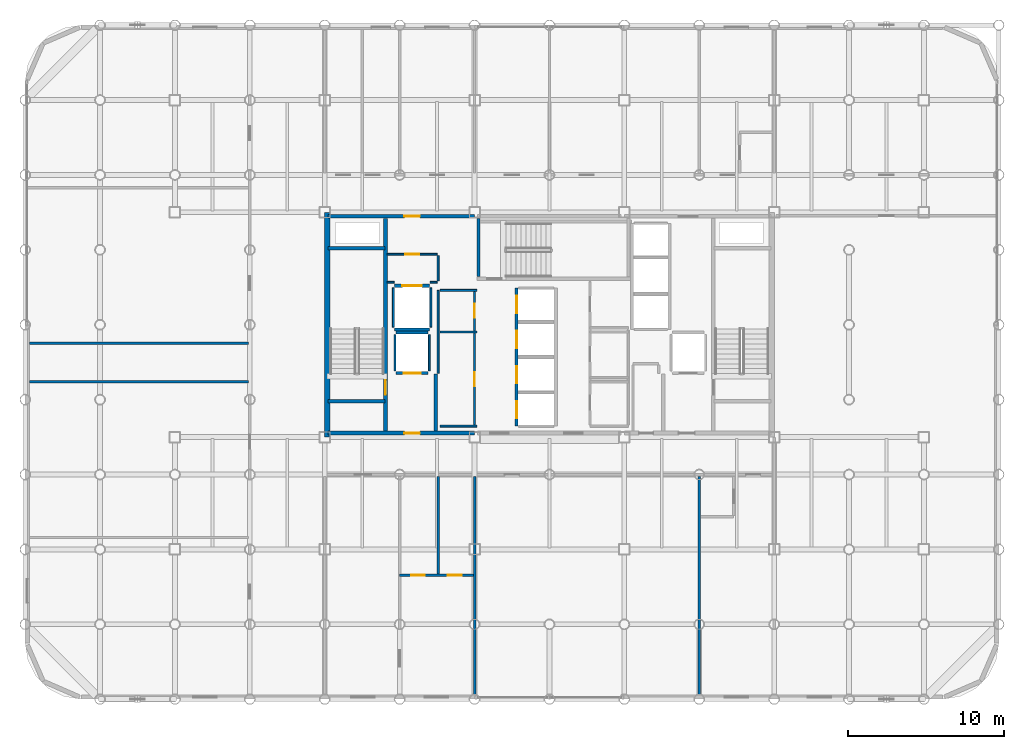
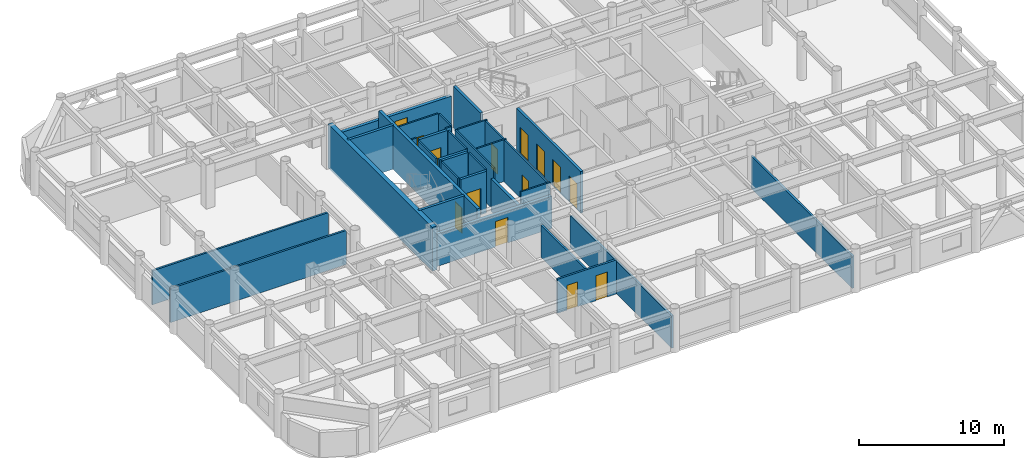
# One storey, part 16 of 20: 32 walls, 14 doors, 14 openings.
"""IFC4 building model written with IfcOpenShell, lengths in metres."""

from ifc_helpers import new_model, si_unit, direction, frame, frame_2d, origin, place, context, subcontext, project, spatial, rectangle, extrude, material, layer, layer_set, type_object, element, fill, save


model = new_model("IFC4")

# Units and contexts
model_context = context("Model", 3, precision=1e-05, world=origin(), true_north=direction((0.0, 1.0)))
body_context = subcontext(model_context, "Body", "Model", "MODEL_VIEW")
ifc_project = project(units=[si_unit("LENGTHUNIT", "METRE"), si_unit("AREAUNIT", "SQUARE_METRE"), si_unit("VOLUMEUNIT", "CUBIC_METRE"), si_unit("PLANEANGLEUNIT", "RADIAN"), si_unit("MASSUNIT", "GRAM", prefix="KILO")], contexts=[model_context])

# Site, building, storey
site_placement = place(None, origin())
site = spatial("IfcSite", under=ifc_project, at=site_placement, CompositionType="ELEMENT")
building_placement = place(site_placement, origin())
building = spatial("IfcBuilding", under=site, at=building_placement, Name="Kallvorn Hotel Tower", CompositionType="ELEMENT")
storey_placement = place(building_placement, frame((0.0, 0.0, 172.89990234375)))
storey = spatial("IfcBuildingStorey", under=building, at=storey_placement, Name="L43", CompositionType="ELEMENT", Elevation=172.89990234375)

# Wall
ifc_material_1 = material(Name="Concrete C50/60", Category="concrete")
ifc_layer_1 = layer(ifc_material_1, 0.35009765625)
ifc_layer_set_1 = layer_set([ifc_layer_1], Name="WL_CORE_350")
wall_type_1 = type_object("IfcWallType", Name="WL_CORE_350", PredefinedType="SHEAR", material=ifc_layer_set_1)
wall_1_placement = place(storey_placement, frame((-14.239990234375, -7.199951171875, -0.179931640625), z_axis=(0.0, 0.0, 1.0), x_axis=(0.0, 1.0, 0.0)))
element("IfcWall", 1, at=wall_1_placement, inside=storey, type_object=wall_type_1, Name="L43 Core West Shear Wall", PredefinedType="SHEAR", context=body_context, shape_type="SweptSolid", body=[
    extrude(rectangle(XDim=14.39990234375, YDim=0.35009765625, at=frame_2d((7.199951171875, 0.0))), origin(), (0.0, 0.0, 1.0), 3.699951171875),
])

# Wall, openings, doors
ifc_material_2 = material(Name="Fire-rated double-layer acoustic gypsum drywall EI 60")
ifc_layer_2 = layer(ifc_material_2, 0.159912109375)
ifc_layer_set_2 = layer_set([ifc_layer_2], Name="WL_DEMISE_160")
wall_type_2 = type_object("IfcWallType", Name="WL_DEMISE_160", PredefinedType="PARTITIONING", material=ifc_layer_set_2)
wall_2_placement = place(storey_placement, frame((-9.60009765625, -16.050048828125, 0.0), z_axis=(0.0, 0.0, 1.0), x_axis=(1.0, 0.0, 0.0)))
wall_2 = element("IfcWall", 2, at=wall_2_placement, inside=storey, type_object=wall_type_2, Name="L43 Suite 4301 Executive Bedroom Partition", PredefinedType="PARTITIONING", context=body_context, shape_type="SweptSolid", body=[
    extrude(rectangle(XDim=4.72021484375, YDim=0.159912109375, at=frame_2d((2.360107421875, 0.0))), origin(), (0.0, 0.0, 1.0), 2.8701171875),
])
opening_1_placement = place(wall_2_placement, frame((0.75, 0.0, 0.0)))
opening_1 = element("IfcOpeningElement", 3, at=opening_1_placement, cuts=wall_2, Name="Opening BD-I", PredefinedType="OPENING", context=body_context, shape_type="SweptSolid", body=[
    extrude(rectangle(XDim=0.860107421875, YDim=2.10009765625, at=frame_2d((0.43017578125, 1.050048828125))), frame((0.0, 0.094970703125, 0.0), z_axis=(0.0, -1.0, 0.0), x_axis=(1.0, 0.0, 0.0)), (0.0, 0.0, 1.0), 0.18994140625),
])
opening_2_placement = place(wall_2_placement, frame((3.090087890625, 0.0, 0.0)))
opening_2 = element("IfcOpeningElement", 4, at=opening_2_placement, cuts=wall_2, Name="Opening SVD1", PredefinedType="OPENING", context=body_context, shape_type="SweptSolid", body=[
    extrude(rectangle(XDim=0.89990234375, YDim=2.10009765625, at=frame_2d((0.449951171875, 1.050048828125))), frame((0.0, 0.094970703125, 0.0), z_axis=(0.0, -1.0, 0.0), x_axis=(1.0, 0.0, 0.0)), (0.0, 0.0, 1.0), 0.18994140625),
])
ifc_material_3 = material(Name="Solid-core walnut veneer fire-rated timber door leaf", Category="wood")
door_type_1 = type_object("IfcDoorType", Name="DR_BATH_860x2100", OperationType="NOTDEFINED", PredefinedType="DOOR", material=ifc_material_3)
door_1_placement = place(opening_1_placement, origin())
door_1 = element("IfcDoor", 5, at=door_1_placement, inside=storey, type_object=door_type_1, Name="L43 Suite 4301 En-Suite Bathroom Door", OperationType="SINGLE_SWING_RIGHT", OverallHeight=2.10009765625, OverallWidth=0.860107421875, PredefinedType="DOOR", context=body_context, shape_type="SweptSolid", body=[
    extrude(rectangle(XDim=0.860107421875, YDim=2.10009765625, at=frame_2d((0.43017578125, 1.050048828125))), frame((0.0, 0.02490234375, 0.0), z_axis=(0.0, -1.0, 0.0), x_axis=(1.0, 0.0, 0.0)), (0.0, 0.0, 1.0), 0.050048828125),
])
fill(opening_1, door_1)
ifc_material_4 = material(Name="Galvanised painted steel fire-rated door assembly", Category="steel")
door_type_2 = type_object("IfcDoorType", Name="DR_SERV_900x2100", OperationType="NOTDEFINED", PredefinedType="DOOR", material=ifc_material_4)
door_2_placement = place(opening_2_placement, origin())
door_2 = element("IfcDoor", 6, at=door_2_placement, inside=storey, type_object=door_type_2, Name="L43 Suite 4301 Walk-In Dressing Closet Door", OperationType="SINGLE_SWING_LEFT", OverallHeight=2.10009765625, OverallWidth=0.89990234375, PredefinedType="DOOR", context=body_context, shape_type="SweptSolid", body=[
    extrude(rectangle(XDim=0.89990234375, YDim=2.10009765625, at=frame_2d((0.449951171875, 1.050048828125))), frame((0.0, 0.02490234375, 0.0), z_axis=(0.0, -1.0, 0.0), x_axis=(1.0, 0.0, 0.0)), (0.0, 0.0, 1.0), 0.050048828125),
])
fill(opening_2, door_2)

# Walls
for number, where, z_axis, x_axis, name in (
    (7, (-4.800048828125, -23.7099609375, 0.0), (0.0, 0.0, 1.0), (0.0, 1.0, 0.0), "L43 Suite 4301 Executive Bedroom Partition"),
    (8, (9.60009765625, -23.7099609375, 0.0), (0.0, 0.0, 1.0), (0.0, 1.0, 0.0), "L43 Suite 4302 Deluxe King Room Partition"),
):
    element("IfcWall", number, at=place(storey_placement, frame(where, z_axis=z_axis, x_axis=x_axis)), inside=storey, type_object=wall_type_2, Name=name, PredefinedType="PARTITIONING", context=body_context, shape_type="SweptSolid", body=[
        extrude(rectangle(XDim=13.989990234375, YDim=0.159912109375, at=frame_2d((6.9951171875, 0.0))), origin(), (0.0, 0.0, 1.0), 2.72021484375),
    ])
ifc_material_5 = material(Name="Concrete C40/50", Category="concrete")
ifc_layer_3 = layer(ifc_material_5, 0.219970703125)
ifc_layer_set_3 = layer_set([ifc_layer_3], Name="WL_FFL_220")
wall_type_3 = type_object("IfcWallType", Name="WL_FFL_220", PredefinedType="SOLIDWALL", material=ifc_layer_set_3)
wall_3_placement = place(storey_placement, frame((-7.300048828125, -6.820068359375, 0.0), z_axis=(0.0, 0.0, 1.0), x_axis=(0.0, 1.0, 0.0)))
element("IfcWall", 9, at=wall_3_placement, inside=storey, type_object=wall_type_3, Name="L43 Firefighting Lobby West Divider Wall", PredefinedType="SOLIDWALL", context=body_context, shape_type="SweptSolid", body=[
    extrude(rectangle(XDim=3.670166015625, YDim=0.219970703125, at=frame_2d((1.8349609375, 0.0))), origin(), (0.0, 0.0, 1.0), 2.72021484375),
])
ifc_material_6 = material(Name="Concrete C40/50", Category="concrete")
ifc_layer_4 = layer(ifc_material_6, 0.199951171875)
ifc_layer_set_4 = layer_set([ifc_layer_4], Name="WL_HOIST_200")
wall_type_4 = type_object("IfcWallType", Name="WL_HOIST_200", PredefinedType="SOLIDWALL", material=ifc_layer_set_4)
for number, where, z_axis, x_axis, name in (
    (10, (-14.199951171875, -4.89990234375, -0.179931640625), (0.0, 0.0, 1.0), (1.0, 0.0, 0.0), "L43 Stair ST1 South Wall"),
    (11, (-14.199951171875, 4.89990234375, -0.179931640625), (0.0, 0.0, 1.0), (1.0, 0.0, 0.0), "L43 Stair ST1 North Wall"),
):
    element("IfcWall", number, at=place(storey_placement, frame(where, z_axis=z_axis, x_axis=x_axis)), inside=storey, type_object=wall_type_4, Name=name, PredefinedType="SOLIDWALL", context=body_context, shape_type="SweptSolid", body=[
        extrude(rectangle(XDim=3.64990234375, YDim=0.199951171875, at=frame_2d((1.824951171875, 0.0))), origin(), (0.0, 0.0, 1.0), 3.699951171875),
    ])
wall_4_placement = place(storey_placement, frame((-4.550048828125, 3.080078125, -0.179931640625), z_axis=(0.0, 0.0, 1.0), x_axis=(0.0, 1.0, 0.0)))
element("IfcWall", 12, at=wall_4_placement, inside=storey, type_object=wall_type_4, Name="L43 Stair ST3 West Wall", PredefinedType="SOLIDWALL", context=body_context, shape_type="SweptSolid", body=[
    extrude(rectangle(XDim=3.739990234375, YDim=0.199951171875, at=frame_2d((1.8701171875, 0.0))), origin(), (0.0, 0.0, 1.0), 3.699951171875),
])

# Wall, openings, doors
wall_5_placement = place(storey_placement, frame((-2.10009765625, -6.5, 0.0), z_axis=(0.0, 0.0, 1.0), x_axis=(0.0, 1.0, 0.0)))
wall_5 = element("IfcWall", 13, at=wall_5_placement, inside=storey, type_object=wall_type_4, Name="L43 Lift Bank B2 Landing Wall", PredefinedType="SOLIDWALL", context=body_context, shape_type="SweptSolid", body=[
    extrude(rectangle(XDim=8.85009765625, YDim=0.199951171875, at=frame_2d((4.425048828125, 0.0))), origin(), (0.0, 0.0, 1.0), 3.52001953125),
])
opening_3_placement = place(wall_5_placement, frame((0.5, 0.0, 0.0)))
opening_3 = element("IfcOpeningElement", 14, at=opening_3_placement, cuts=wall_5, Name="Opening LD-PL-05", PredefinedType="OPENING", context=body_context, shape_type="SweptSolid", body=[
    extrude(rectangle(XDim=1.10009765625, YDim=2.199951171875, at=frame_2d((0.550048828125, 1.10009765625))), frame((0.0, 0.114990234375, 0.0), z_axis=(0.0, -1.0, 0.0), x_axis=(1.0, 0.0, 0.0)), (0.0, 0.0, 1.0), 0.22998046875),
])
opening_4_placement = place(wall_5_placement, frame((2.75, 0.0, 0.0)))
opening_4 = element("IfcOpeningElement", 15, at=opening_4_placement, cuts=wall_5, Name="Opening LD-PL-06", PredefinedType="OPENING", context=body_context, shape_type="SweptSolid", body=[
    extrude(rectangle(XDim=1.10009765625, YDim=2.199951171875, at=frame_2d((0.550048828125, 1.10009765625))), frame((0.0, 0.114990234375, 0.0), z_axis=(0.0, -1.0, 0.0), x_axis=(1.0, 0.0, 0.0)), (0.0, 0.0, 1.0), 0.22998046875),
])
opening_5_placement = place(wall_5_placement, frame((5.0, 0.0, 0.0)))
opening_5 = element("IfcOpeningElement", 16, at=opening_5_placement, cuts=wall_5, Name="Opening LD-PL-07", PredefinedType="OPENING", context=body_context, shape_type="SweptSolid", body=[
    extrude(rectangle(XDim=1.10009765625, YDim=2.199951171875, at=frame_2d((0.550048828125, 1.10009765625))), frame((0.0, 0.114990234375, 0.0), z_axis=(0.0, -1.0, 0.0), x_axis=(1.0, 0.0, 0.0)), (0.0, 0.0, 1.0), 0.22998046875),
])
opening_6_placement = place(wall_5_placement, frame((7.25, 0.0, 0.0)))
opening_6 = element("IfcOpeningElement", 17, at=opening_6_placement, cuts=wall_5, Name="Opening LD-PL-08", PredefinedType="OPENING", context=body_context, shape_type="SweptSolid", body=[
    extrude(rectangle(XDim=1.10009765625, YDim=2.199951171875, at=frame_2d((0.550048828125, 1.10009765625))), frame((0.0, 0.114990234375, 0.0), z_axis=(0.0, -1.0, 0.0), x_axis=(1.0, 0.0, 0.0)), (0.0, 0.0, 1.0), 0.22998046875),
])
ifc_material_7 = material(Name="Brushed stainless-steel automatic sliding lift landing door", Category="steel")
door_type_3 = type_object("IfcDoorType", Name="LD_PASS_1100x2200", OperationType="SLIDING_TO_LEFT", PredefinedType="DOOR", material=ifc_material_7)
door_3_placement = place(opening_3_placement, origin())
door_3 = element("IfcDoor", 18, at=door_3_placement, inside=storey, type_object=door_type_3, Name="L43 Lift Landing Sliding Door LD-PL-05", OperationType="SLIDING_TO_LEFT", OverallHeight=2.199951171875, OverallWidth=1.10009765625, PredefinedType="DOOR", context=body_context, shape_type="SweptSolid", body=[
    extrude(rectangle(XDim=1.10009765625, YDim=2.199951171875, at=frame_2d((0.550048828125, 1.10009765625))), frame((0.0, 0.02490234375, 0.0), z_axis=(0.0, -1.0, 0.0), x_axis=(1.0, 0.0, 0.0)), (0.0, 0.0, 1.0), 0.050048828125),
])
fill(opening_3, door_3)
door_4_placement = place(opening_4_placement, origin())
door_4 = element("IfcDoor", 19, at=door_4_placement, inside=storey, type_object=door_type_3, Name="L43 Lift Landing Sliding Door LD-PL-06", OperationType="SLIDING_TO_LEFT", OverallHeight=2.199951171875, OverallWidth=1.10009765625, PredefinedType="DOOR", context=body_context, shape_type="SweptSolid", body=[
    extrude(rectangle(XDim=1.10009765625, YDim=2.199951171875, at=frame_2d((0.550048828125, 1.10009765625))), frame((0.0, 0.02490234375, 0.0), z_axis=(0.0, -1.0, 0.0), x_axis=(1.0, 0.0, 0.0)), (0.0, 0.0, 1.0), 0.050048828125),
])
fill(opening_4, door_4)
door_5_placement = place(opening_5_placement, origin())
door_5 = element("IfcDoor", 20, at=door_5_placement, inside=storey, type_object=door_type_3, Name="L43 Lift Landing Sliding Door LD-PL-07", OperationType="SLIDING_TO_LEFT", OverallHeight=2.199951171875, OverallWidth=1.10009765625, PredefinedType="DOOR", context=body_context, shape_type="SweptSolid", body=[
    extrude(rectangle(XDim=1.10009765625, YDim=2.199951171875, at=frame_2d((0.550048828125, 1.10009765625))), frame((0.0, 0.02490234375, 0.0), z_axis=(0.0, -1.0, 0.0), x_axis=(1.0, 0.0, 0.0)), (0.0, 0.0, 1.0), 0.050048828125),
])
fill(opening_5, door_5)
door_6_placement = place(opening_6_placement, origin())
door_6 = element("IfcDoor", 21, at=door_6_placement, inside=storey, type_object=door_type_3, Name="L43 Lift Landing Sliding Door LD-PL-08", OperationType="SLIDING_TO_LEFT", OverallHeight=2.199951171875, OverallWidth=1.10009765625, PredefinedType="DOOR", context=body_context, shape_type="SweptSolid", body=[
    extrude(rectangle(XDim=1.10009765625, YDim=2.199951171875, at=frame_2d((0.550048828125, 1.10009765625))), frame((0.0, 0.02490234375, 0.0), z_axis=(0.0, -1.0, 0.0), x_axis=(1.0, 0.0, 0.0)), (0.0, 0.0, 1.0), 0.050048828125),
])
fill(opening_6, door_6)

# Wall, opening, door
wall_6_placement = place(storey_placement, frame((-9.820068359375, -3.10009765625, 0.0), z_axis=(0.0, 0.0, 1.0), x_axis=(1.0, 0.0, 0.0)))
wall_6 = element("IfcWall", 22, at=wall_6_placement, inside=storey, type_object=wall_type_4, Name="L43 FL-1 Landing Wall", PredefinedType="SOLIDWALL", context=body_context, shape_type="SweptSolid", body=[
    extrude(rectangle(XDim=2.0400390625, YDim=0.199951171875, at=frame_2d((1.02001953125, 0.0))), origin(), (0.0, 0.0, 1.0), 3.52001953125),
])
opening_7_placement = place(wall_6_placement, frame((0.469970703125, 0.0, 0.0)))
opening_7 = element("IfcOpeningElement", 23, at=opening_7_placement, cuts=wall_6, Name="Opening LD-FL-1", PredefinedType="OPENING", context=body_context, shape_type="SweptSolid", body=[
    extrude(rectangle(XDim=1.10009765625, YDim=2.199951171875, at=frame_2d((0.550048828125, 1.10009765625))), frame((0.0, 0.114990234375, 0.0), z_axis=(0.0, -1.0, 0.0), x_axis=(1.0, 0.0, 0.0)), (0.0, 0.0, 1.0), 0.22998046875),
])
door_7_placement = place(opening_7_placement, origin())
door_7 = element("IfcDoor", 24, at=door_7_placement, inside=storey, type_object=door_type_3, Name="L43 Lift Landing Sliding Door LD-FL-1", OperationType="SLIDING_TO_LEFT", OverallHeight=2.199951171875, OverallWidth=1.10009765625, PredefinedType="DOOR", context=body_context, shape_type="SweptSolid", body=[
    extrude(rectangle(XDim=1.10009765625, YDim=2.199951171875, at=frame_2d((0.550048828125, 1.10009765625))), frame((0.0, 0.02490234375, 0.0), z_axis=(0.0, -1.0, 0.0), x_axis=(1.0, 0.0, 0.0)), (0.0, 0.0, 1.0), 0.050048828125),
])
fill(opening_7, door_7)

# Wall
wall_7_placement = place(storey_placement, frame((-9.820068359375, -0.5, 0.0), z_axis=(0.0, 0.0, 1.0), x_axis=(1.0, 0.0, 0.0)))
element("IfcWall", 25, at=wall_7_placement, inside=storey, type_object=wall_type_4, Name="L43 FL-1 Rear Shaft Wall", PredefinedType="SOLIDWALL", context=body_context, shape_type="SweptSolid", body=[
    extrude(rectangle(XDim=2.0400390625, YDim=0.199951171875, at=frame_2d((1.02001953125, 0.0))), origin(), (0.0, 0.0, 1.0), 3.52001953125),
])

# Wall, opening, door
wall_8_placement = place(storey_placement, frame((-9.919921875, 2.5, 0.0), z_axis=(0.0, 0.0, 1.0), x_axis=(1.0, 0.0, 0.0)))
wall_8 = element("IfcWall", 26, at=wall_8_placement, inside=storey, type_object=wall_type_4, Name="L43 SV-01 Landing Wall", PredefinedType="SOLIDWALL", context=body_context, shape_type="SweptSolid", body=[
    extrude(rectangle(XDim=2.239990234375, YDim=0.199951171875, at=frame_2d((1.1201171875, 0.0))), origin(), (0.0, 0.0, 1.0), 3.52001953125),
])
opening_8_placement = place(wall_8_placement, frame((0.4951171875, 0.0, 0.0)))
opening_8 = element("IfcOpeningElement", 27, at=opening_8_placement, cuts=wall_8, Name="Opening LD-SV-01", PredefinedType="OPENING", context=body_context, shape_type="SweptSolid", body=[
    extrude(rectangle(XDim=1.25, YDim=2.25, at=frame_2d((0.625, 1.125))), frame((0.0, 0.114990234375, 0.0), z_axis=(0.0, -1.0, 0.0), x_axis=(1.0, 0.0, 0.0)), (0.0, 0.0, 1.0), 0.22998046875),
])
ifc_material_8 = material(Name="Brushed stainless-steel automatic sliding lift landing door", Category="steel")
door_type_4 = type_object("IfcDoorType", Name="LD_SERV_1250x2250", OperationType="SLIDING_TO_LEFT", PredefinedType="DOOR", material=ifc_material_8)
door_8_placement = place(opening_8_placement, origin())
door_8 = element("IfcDoor", 28, at=door_8_placement, inside=storey, type_object=door_type_4, Name="L43 Lift Landing Sliding Door LD-SV-01", OperationType="SLIDING_TO_LEFT", OverallHeight=2.25, OverallWidth=1.25, PredefinedType="DOOR", context=body_context, shape_type="SweptSolid", body=[
    extrude(rectangle(XDim=1.25, YDim=2.25, at=frame_2d((0.625, 1.125))), frame((0.0, 0.02490234375, 0.0), z_axis=(0.0, -1.0, 0.0), x_axis=(1.0, 0.0, 0.0)), (0.0, 0.0, 1.0), 0.050048828125),
])
fill(opening_8, door_8)

# Walls
wall_9_placement = place(storey_placement, frame((-9.919921875, -0.300048828125, 0.0), z_axis=(0.0, 0.0, 1.0), x_axis=(1.0, 0.0, 0.0)))
element("IfcWall", 29, at=wall_9_placement, inside=storey, type_object=wall_type_4, Name="L43 SV-01 Rear Shaft Wall", PredefinedType="SOLIDWALL", context=body_context, shape_type="SweptSolid", body=[
    extrude(rectangle(XDim=2.239990234375, YDim=0.199951171875, at=frame_2d((1.1201171875, 0.0))), origin(), (0.0, 0.0, 1.0), 3.52001953125),
])
ifc_material_9 = material(Name="Fire-rated double-layer acoustic gypsum drywall EI 60")
ifc_layer_5 = layer(ifc_material_9, 0.1201171875)
ifc_layer_set_5 = layer_set([ifc_layer_5], Name="WL_INT_120")
wall_type_5 = type_object("IfcWallType", Name="WL_INT_120", PredefinedType="PARTITIONING", material=ifc_layer_set_5)
for number, where, z_axis, x_axis, name in (
    (30, (-9.89990234375, -2.9599609375, 0.0), (0.0, 0.0, 1.0), (0.0, 1.0, 0.0), "L43 FL-1 West Shaft Wall"),
    (31, (-7.699951171875, -2.9599609375, 0.0), (0.0, 0.0, 1.0), (0.0, 1.0, 0.0), "L43 FL-1 East Shaft Wall"),
):
    element("IfcWall", number, at=place(storey_placement, frame(where, z_axis=z_axis, x_axis=x_axis)), inside=storey, type_object=wall_type_5, Name=name, PredefinedType="PARTITIONING", context=body_context, shape_type="SweptSolid", body=[
        extrude(rectangle(XDim=2.320068359375, YDim=0.1201171875, at=frame_2d((1.16015625, 0.0))), origin(), (0.0, 0.0, 1.0), 3.52001953125),
    ])
for number, where, z_axis, x_axis, name in (
    (32, (-10.0, -0.159912109375, 0.0), (0.0, 0.0, 1.0), (0.0, 1.0, 0.0), "L43 SV-01 West Shaft Wall"),
    (33, (-7.60009765625, -0.159912109375, 0.0), (0.0, 0.0, 1.0), (0.0, 1.0, 0.0), "L43 SV-01 East Shaft Wall"),
):
    element("IfcWall", number, at=place(storey_placement, frame(where, z_axis=z_axis, x_axis=x_axis)), inside=storey, type_object=wall_type_5, Name=name, PredefinedType="PARTITIONING", context=body_context, shape_type="SweptSolid", body=[
        extrude(rectangle(XDim=2.52001953125, YDim=0.1201171875, at=frame_2d((1.260009765625, 0.0))), origin(), (0.0, 0.0, 1.0), 3.52001953125),
    ])
for number, where, z_axis, x_axis, name in (
    (34, (-7.0, -6.5, 0.0), (0.0, 0.0, 1.0), (1.0, 0.0, 0.0), "L43 Recaptured Full-Depth Sommelier Store Partition"),
    (35, (-7.0, -0.466796875, 0.0), (0.0, 0.0, 1.0), (1.0, 0.0, 0.0), "L43 Recaptured Full-Depth Sommelier Store Partition"),
    (36, (-7.0, 2.199951171875, 0.0), (0.0, 0.0, 1.0), (1.0, 0.0, 0.0), "L43 Recaptured Housekeeping Prep Room Partition"),
):
    element("IfcWall", number, at=place(storey_placement, frame(where, z_axis=z_axis, x_axis=x_axis)), inside=storey, type_object=wall_type_5, Name=name, PredefinedType="PARTITIONING", context=body_context, shape_type="SweptSolid", body=[
        extrude(rectangle(XDim=2.35009765625, YDim=0.1201171875, at=frame_2d((1.175048828125, 0.0))), origin(), (0.0, 0.0, 1.0), 3.52001953125),
    ])
for number, where, z_axis, x_axis, name in (
    (37, (-10.39990234375, 2.72509765625, 0.0), (0.0, 0.0, 1.0), (1.0, 0.0, 0.0), "L43 Core Telecom and Metering Store Partition"),
    (38, (-7.639892578125, 2.72509765625, 0.0), (0.0, 0.0, 1.0), (1.0, 0.0, 0.0), "L43 Core Telecom and Metering Store Partition"),
):
    element("IfcWall", number, at=place(storey_placement, frame(where, z_axis=z_axis, x_axis=x_axis)), inside=storey, type_object=wall_type_5, Name=name, PredefinedType="PARTITIONING", context=body_context, shape_type="SweptSolid", body=[
        extrude(rectangle(XDim=0.43994140625, YDim=0.1201171875, at=frame_2d((0.219970703125, 0.0))), origin(), (0.0, 0.0, 1.0), 3.52001953125),
    ])

# Wall, opening, door
wall_10_placement = place(storey_placement, frame((-10.39990234375, 4.52001953125, 0.0), z_axis=(0.0, 0.0, 1.0), x_axis=(1.0, 0.0, 0.0)))
wall_10 = element("IfcWall", 39, at=wall_10_placement, inside=storey, type_object=wall_type_5, Name="L43 Core Telecom and Metering Store Partition", PredefinedType="PARTITIONING", context=body_context, shape_type="SweptSolid", body=[
    extrude(rectangle(XDim=3.199951171875, YDim=0.1201171875, at=frame_2d((1.60009765625, 0.0))), origin(), (0.0, 0.0, 1.0), 3.52001953125),
])
opening_9_placement = place(wall_10_placement, frame((1.14990234375, 0.0, 0.0)))
opening_9 = element("IfcOpeningElement", 40, at=opening_9_placement, cuts=wall_10, Name="Opening SVD1", PredefinedType="OPENING", context=body_context, shape_type="SweptSolid", body=[
    extrude(rectangle(XDim=0.89990234375, YDim=2.10009765625, at=frame_2d((0.449951171875, 1.050048828125))), frame((0.0, 0.074951171875, 0.0), z_axis=(0.0, -1.0, 0.0), x_axis=(1.0, 0.0, 0.0)), (0.0, 0.0, 1.0), 0.150146484375),
])
door_9_placement = place(opening_9_placement, origin())
door_9 = element("IfcDoor", 41, at=door_9_placement, inside=storey, type_object=door_type_2, Name="L43 Core Telecom and Metering Store Door", OperationType="SINGLE_SWING_RIGHT", OverallHeight=2.10009765625, OverallWidth=0.89990234375, PredefinedType="DOOR", context=body_context, shape_type="SweptSolid", body=[
    extrude(rectangle(XDim=0.89990234375, YDim=2.10009765625, at=frame_2d((0.449951171875, 1.050048828125))), frame((0.0, 0.02490234375, 0.0), z_axis=(0.0, -1.0, 0.0), x_axis=(1.0, 0.0, 0.0)), (0.0, 0.0, 1.0), 0.050048828125),
])
fill(opening_9, door_9)

# Walls
wall_11_placement = place(storey_placement, frame((-7.135986328125, -3.110107421875, 0.0), z_axis=(0.0, 0.0, 1.0), x_axis=(0.0, 1.0, 0.0)))
element("IfcWall", 42, at=wall_11_placement, inside=storey, type_object=wall_type_5, Name="L43 Recaptured Full-Depth Sommelier Store Partition", PredefinedType="PARTITIONING", context=body_context, shape_type="SweptSolid", body=[
    extrude(rectangle(XDim=5.31005859375, YDim=0.1201171875, at=frame_2d((2.655029296875, 0.0))), origin(), (0.0, 0.0, 1.0), 3.52001953125),
])
wall_12_placement = place(storey_placement, frame((-7.135986328125, 2.81005859375, 0.0), z_axis=(0.0, 0.0, 1.0), x_axis=(0.0, 1.0, 0.0)))
element("IfcWall", 43, at=wall_12_placement, inside=storey, type_object=wall_type_5, Name="L43 Core Telecom and Metering Store Partition", PredefinedType="PARTITIONING", context=body_context, shape_type="SweptSolid", body=[
    extrude(rectangle(XDim=1.625, YDim=0.1201171875, at=frame_2d((0.8125, 0.0))), origin(), (0.0, 0.0, 1.0), 3.52001953125),
])

# Wall, openings, doors
wall_13_placement = place(storey_placement, frame((-4.800048828125, -6.4150390625, 0.0), z_axis=(0.0, 0.0, 1.0), x_axis=(0.0, 1.0, 0.0)))
wall_13 = element("IfcWall", 44, at=wall_13_placement, inside=storey, type_object=wall_type_5, Name="L43 Recaptured Full-Depth Sommelier Store Partition", PredefinedType="PARTITIONING", context=body_context, shape_type="SweptSolid", body=[
    extrude(rectangle(XDim=8.530029296875, YDim=0.1201171875, at=frame_2d((4.26513671875, 0.0))), origin(), (0.0, 0.0, 1.0), 3.52001953125),
])
opening_10_placement = place(wall_13_placement, frame((2.465087890625, 0.0, 0.0)))
opening_10 = element("IfcOpeningElement", 45, at=opening_10_placement, cuts=wall_13, Name="Opening SVD1", PredefinedType="OPENING", context=body_context, shape_type="SweptSolid", body=[
    extrude(rectangle(XDim=0.89990234375, YDim=2.10009765625, at=frame_2d((0.449951171875, 1.050048828125))), frame((0.0, 0.074951171875, 0.0), z_axis=(0.0, -1.0, 0.0), x_axis=(1.0, 0.0, 0.0)), (0.0, 0.0, 1.0), 0.150146484375),
])
opening_11_placement = place(wall_13_placement, frame((6.864990234375, 0.0, 0.0)))
opening_11 = element("IfcOpeningElement", 46, at=opening_11_placement, cuts=wall_13, Name="Opening SVD1", PredefinedType="OPENING", context=body_context, shape_type="SweptSolid", body=[
    extrude(rectangle(XDim=0.89990234375, YDim=2.10009765625, at=frame_2d((0.449951171875, 1.050048828125))), frame((0.0, 0.074951171875, 0.0), z_axis=(0.0, -1.0, 0.0), x_axis=(1.0, 0.0, 0.0)), (0.0, 0.0, 1.0), 0.150146484375),
])
door_10_placement = place(opening_10_placement, origin())
door_10 = element("IfcDoor", 47, at=door_10_placement, inside=storey, type_object=door_type_2, Name="L43 Recaptured Full-Depth Sommelier Store Door", OperationType="SINGLE_SWING_LEFT", OverallHeight=2.10009765625, OverallWidth=0.89990234375, PredefinedType="DOOR", context=body_context, shape_type="SweptSolid", body=[
    extrude(rectangle(XDim=0.89990234375, YDim=2.10009765625, at=frame_2d((0.449951171875, 1.050048828125))), frame((0.0, 0.02490234375, 0.0), z_axis=(0.0, -1.0, 0.0), x_axis=(1.0, 0.0, 0.0)), (0.0, 0.0, 1.0), 0.050048828125),
])
fill(opening_10, door_10)
door_11_placement = place(opening_11_placement, origin())
door_11 = element("IfcDoor", 48, at=door_11_placement, inside=storey, type_object=door_type_2, Name="L43 Recaptured Housekeeping Prep Room Door", OperationType="SINGLE_SWING_RIGHT", OverallHeight=2.10009765625, OverallWidth=0.89990234375, PredefinedType="DOOR", context=body_context, shape_type="SweptSolid", body=[
    extrude(rectangle(XDim=0.89990234375, YDim=2.10009765625, at=frame_2d((0.449951171875, 1.050048828125))), frame((0.0, 0.02490234375, 0.0), z_axis=(0.0, -1.0, 0.0), x_axis=(1.0, 0.0, 0.0)), (0.0, 0.0, 1.0), 0.050048828125),
])
fill(opening_11, door_11)

# Walls
ifc_material_10 = material(Name="Fire-rated double-layer acoustic gypsum drywall EI 60")
ifc_layer_6 = layer(ifc_material_10, 0.14990234375)
ifc_layer_set_6 = layer_set([ifc_layer_6], Name="WL_PART_150")
wall_type_6 = type_object("IfcWallType", Name="WL_PART_150", PredefinedType="PARTITIONING", material=ifc_layer_set_6)
for number, where, z_axis, x_axis, name in (
    (49, (-33.31005859375, -3.659912109375, 0.0), (0.0, 0.0, 1.0), (1.0, 0.0, 0.0), "L43 L43 South-West Spine Boutique Shop Partition"),
    (50, (-33.31005859375, -1.179931640625, 0.0), (0.0, 0.0, 1.0), (1.0, 0.0, 0.0), "L43 L43 North-West Spine Pastry Cafe Partition"),
):
    element("IfcWall", number, at=place(storey_placement, frame(where, z_axis=z_axis, x_axis=x_axis)), inside=storey, type_object=wall_type_6, Name=name, PredefinedType="PARTITIONING", context=body_context, shape_type="SweptSolid", body=[
        extrude(rectangle(XDim=14.030029296875, YDim=0.14990234375, at=frame_2d((7.01513671875, 0.0))), origin(), (0.0, 0.0, 1.0), 2.8701171875),
    ])
wall_14_placement = place(storey_placement, frame((-7.135986328125, -15.965087890625, 0.0), z_axis=(0.0, 0.0, 1.0), x_axis=(0.0, 1.0, 0.0)))
element("IfcWall", 51, at=wall_14_placement, inside=storey, type_object=wall_type_6, Name="L43 Suite 4301 Walk-In Dressing Closet Partition", PredefinedType="PARTITIONING", context=body_context, shape_type="SweptSolid", body=[
    extrude(rectangle(XDim=6.2451171875, YDim=0.14990234375, at=frame_2d((3.12255859375, 0.0))), origin(), (0.0, 0.0, 1.0), 2.72021484375),
])

# Wall, opening, door
ifc_material_11 = material(Name="Concrete C40/50", Category="concrete")
ifc_layer_7 = layer(ifc_material_11, 0.25)
ifc_layer_set_7 = layer_set([ifc_layer_7], Name="WL_SHAFT_250")
wall_type_7 = type_object("IfcWallType", Name="WL_SHAFT_250", PredefinedType="SOLIDWALL", material=ifc_layer_set_7)
wall_15_placement = place(storey_placement, frame((-14.199951171875, -6.949951171875, 0.0), z_axis=(0.0, 0.0, 1.0), x_axis=(1.0, 0.0, 0.0)))
wall_15 = element("IfcWall", 52, at=wall_15_placement, inside=storey, type_object=wall_type_7, Name="L43 Core South-West Wall", PredefinedType="SOLIDWALL", context=body_context, shape_type="SweptSolid", body=[
    extrude(rectangle(XDim=9.39990234375, YDim=0.25, at=frame_2d((4.699951171875, 0.0))), origin(), (0.0, 0.0, 1.0), 2.72021484375),
])
opening_12_placement = place(wall_15_placement, frame((4.89990234375, 0.0, 0.0)))
opening_12 = element("IfcOpeningElement", 53, at=opening_12_placement, cuts=wall_15, Name="Opening FD1", PredefinedType="OPENING", context=body_context, shape_type="SweptSolid", body=[
    extrude(rectangle(XDim=1.0, YDim=2.14990234375, at=frame_2d((0.5, 1.074951171875))), frame((0.0, 0.139892578125, 0.0), z_axis=(0.0, -1.0, 0.0), x_axis=(1.0, 0.0, 0.0)), (0.0, 0.0, 1.0), 0.280029296875),
])
ifc_material_12 = material(Name="Galvanised painted steel fire-rated door assembly", Category="steel")
door_type_5 = type_object("IfcDoorType", Name="DR_FFL_1000x2150", OperationType="NOTDEFINED", PredefinedType="DOOR", material=ifc_material_12)
door_12_placement = place(opening_12_placement, origin())
door_12 = element("IfcDoor", 54, at=door_12_placement, inside=storey, type_object=door_type_5, Name="L43 Firefighting Lobby West Door", OperationType="SINGLE_SWING_LEFT", OverallHeight=2.14990234375, OverallWidth=1.0, PredefinedType="DOOR", context=body_context, shape_type="SweptSolid", body=[
    extrude(rectangle(XDim=1.0, YDim=2.14990234375, at=frame_2d((0.5, 1.074951171875))), frame((0.0, 0.02490234375, 0.0), z_axis=(0.0, -1.0, 0.0), x_axis=(1.0, 0.0, 0.0)), (0.0, 0.0, 1.0), 0.050048828125),
])
fill(opening_12, door_12)

wall_16_placement = place(storey_placement, frame((-14.199951171875, 6.949951171875, 0.0), z_axis=(0.0, 0.0, 1.0), x_axis=(1.0, 0.0, 0.0)))
wall_16 = element("IfcWall", 55, at=wall_16_placement, inside=storey, type_object=wall_type_7, Name="L43 Core North-West Wall", PredefinedType="SOLIDWALL", context=body_context, shape_type="SweptSolid", body=[
    extrude(rectangle(XDim=9.39990234375, YDim=0.25, at=frame_2d((4.699951171875, 0.0))), origin(), (0.0, 0.0, 1.0), 2.72021484375),
])
opening_13_placement = place(wall_16_placement, frame((4.89990234375, 0.0, 0.0)))
opening_13 = element("IfcOpeningElement", 56, at=opening_13_placement, cuts=wall_16, Name="Opening FD1", PredefinedType="OPENING", context=body_context, shape_type="SweptSolid", body=[
    extrude(rectangle(XDim=1.0, YDim=2.14990234375, at=frame_2d((0.5, 1.074951171875))), frame((0.0, 0.139892578125, 0.0), z_axis=(0.0, -1.0, 0.0), x_axis=(1.0, 0.0, 0.0)), (0.0, 0.0, 1.0), 0.280029296875),
])
door_13_placement = place(opening_13_placement, origin())
door_13 = element("IfcDoor", 57, at=door_13_placement, inside=storey, type_object=door_type_5, Name="L43 Service Lift Lobby Door", OperationType="SINGLE_SWING_RIGHT", OverallHeight=2.14990234375, OverallWidth=1.0, PredefinedType="DOOR", context=body_context, shape_type="SweptSolid", body=[
    extrude(rectangle(XDim=1.0, YDim=2.14990234375, at=frame_2d((0.5, 1.074951171875))), frame((0.0, 0.02490234375, 0.0), z_axis=(0.0, -1.0, 0.0), x_axis=(1.0, 0.0, 0.0)), (0.0, 0.0, 1.0), 0.050048828125),
])
fill(opening_13, door_13)

wall_17_placement = place(storey_placement, frame((-10.5, -6.820068359375, -0.179931640625), z_axis=(0.0, 0.0, 1.0), x_axis=(0.0, 1.0, 0.0)))
wall_17 = element("IfcWall", 58, at=wall_17_placement, inside=storey, type_object=wall_type_7, Name="L43 Stair ST1 Shaft Wall", PredefinedType="SOLIDWALL", context=body_context, shape_type="SweptSolid", body=[
    extrude(rectangle(XDim=13.64013671875, YDim=0.25, at=frame_2d((6.820068359375, 0.0))), origin(), (0.0, 0.0, 1.0), 3.699951171875),
])
opening_14_placement = place(wall_17_placement, frame((2.320068359375, 0.0, 0.179931640625)))
opening_14 = element("IfcOpeningElement", 59, at=opening_14_placement, cuts=wall_17, Name="Opening SD1", PredefinedType="OPENING", context=body_context, shape_type="SweptSolid", body=[
    extrude(rectangle(XDim=0.949951171875, YDim=2.14990234375, at=frame_2d((0.47509765625, 1.074951171875))), frame((0.0, 0.139892578125, 0.0), z_axis=(0.0, -1.0, 0.0), x_axis=(1.0, 0.0, 0.0)), (0.0, 0.0, 1.0), 0.280029296875),
])
ifc_material_13 = material(Name="Galvanised painted steel fire-rated door assembly", Category="steel")
door_type_6 = type_object("IfcDoorType", Name="DR_STAIR_950x2150", OperationType="NOTDEFINED", PredefinedType="DOOR", material=ifc_material_13)
door_14_placement = place(opening_14_placement, origin())
door_14 = element("IfcDoor", 60, at=door_14_placement, inside=storey, type_object=door_type_6, Name="L43 Exit Stair ST1 Fire Door", OperationType="SINGLE_SWING_LEFT", OverallHeight=2.14990234375, OverallWidth=0.949951171875, PredefinedType="DOOR", context=body_context, shape_type="SweptSolid", body=[
    extrude(rectangle(XDim=0.949951171875, YDim=2.14990234375, at=frame_2d((0.47509765625, 1.074951171875))), frame((0.0, 0.02490234375, 0.0), z_axis=(0.0, -1.0, 0.0), x_axis=(1.0, 0.0, 0.0)), (0.0, 0.0, 1.0), 0.050048828125),
])
fill(opening_14, door_14)

save(model, "model.ifc")
